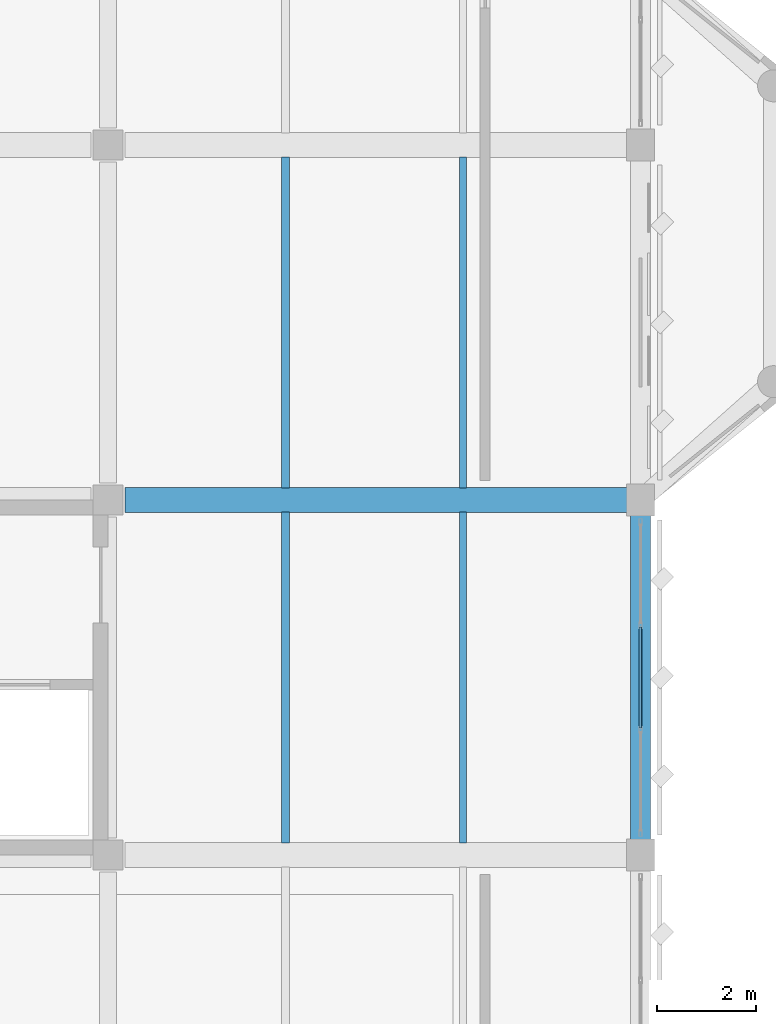
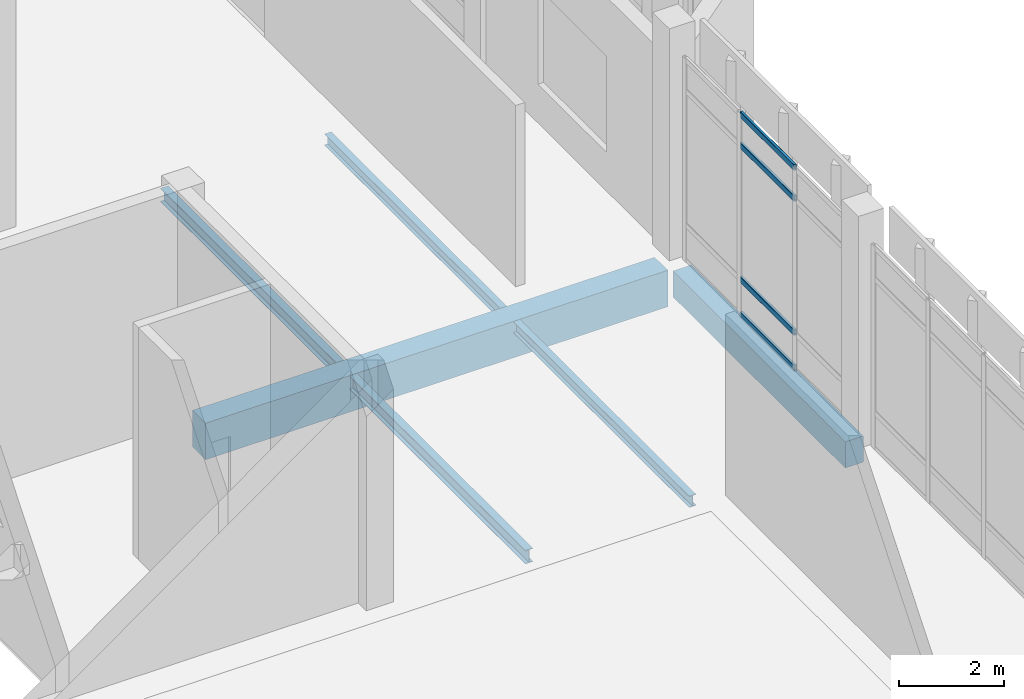
# One storey, part 56 of 180: 6 beams, 4 members, 1 element without a shape of its own.
"""IFC4 building model written with IfcOpenShell, lengths in metres."""

from ifc_helpers import new_model, si_unit, direction, frame, origin, origin_2d, place, context, subcontext, project, spatial, rectangle, hollow_rectangle, i_section, extrude, material, material_profile, profile_set, type_object, element, aggregate, save


model = new_model("IFC4")

# Units and contexts
model_context = context("Model", 3, precision=1e-05, world=origin(), true_north=direction((0.0, 1.0)))
body_context = subcontext(model_context, "Body", "Model", "MODEL_VIEW")
ifc_project = project(units=[si_unit("LENGTHUNIT", "METRE"), si_unit("AREAUNIT", "SQUARE_METRE"), si_unit("VOLUMEUNIT", "CUBIC_METRE"), si_unit("PLANEANGLEUNIT", "RADIAN"), si_unit("MASSUNIT", "GRAM", prefix="KILO")], contexts=[model_context])

# Site, building, storey
site_placement = place(None, origin())
site = spatial("IfcSite", under=ifc_project, at=site_placement, CompositionType="ELEMENT")
building_placement = place(site_placement, origin())
building = spatial("IfcBuilding", under=site, at=building_placement, Name="Lusvemor Sports Hall", CompositionType="ELEMENT")
storey_placement = place(building_placement, frame((0.0, 0.0, 5.39990234375)))
storey = spatial("IfcBuildingStorey", under=building, at=storey_placement, Name="L01", CompositionType="ELEMENT", Elevation=5.39990234375)

# Curtain wall, members
ifc_material_1 = material(Name="Thermally broken bronze-anodized aluminium", Category="aluminium")
curtain_wall_type = type_object("IfcCurtainWallType", Name="CW_WING_B", PredefinedType="NOTDEFINED", material=ifc_material_1)
curtain_wall_placement = place(storey_placement, origin())
curtain_wall = element("IfcCurtainWall", 1, at=curtain_wall_placement, inside=storey, type_object=curtain_wall_type, Name="Curtain Wall CW-L01-E-4-3", PredefinedType="NOTDEFINED")
ifc_material_2 = material(Name="Thermally broken bronze-anodized aluminium", Category="aluminium")
ifc_material_profile_1 = material_profile(ifc_material_2, hollow_rectangle(XDim=0.06005859375, YDim=0.135009765625, WallThickness=0.00390625, InnerFilletRadius=0.00390625, OuterFilletRadius=0.008056640625, at=origin_2d()), Name="CWTRN135x60x4")
ifc_profile_set_1 = profile_set([ifc_material_profile_1], Name="Thermally broken bronze-anodized aluminium")
member_type = type_object("IfcMemberType", Name="CW_TRN_B", PredefinedType="USERDEFINED", material=ifc_profile_set_1)
member_1_placement = place(storey_placement, frame((21.60009765625, 73.027587890625, 0.030029296875), z_axis=(0.0, -1.0, 0.0), x_axis=(1.0, 0.0, 0.0)))
member_1 = element("IfcMember", 2, at=member_1_placement, type_object=member_type, Name="CW02 transom 2.1", ObjectType="TRANSOM", PredefinedType="USERDEFINED", context=body_context, shape_type="SweptSolid", body=[
    extrude(hollow_rectangle(XDim=0.06005859375, YDim=0.135009765625, WallThickness=0.00390625, InnerFilletRadius=0.00390625, OuterFilletRadius=0.008056640625, at=origin_2d()), origin(), (0.0, 0.0, 1.0), 2.05517578125),
])
member_2_placement = place(storey_placement, frame((21.60009765625, 73.027587890625, 0.85009765625), z_axis=(0.0, -1.0, 0.0), x_axis=(1.0, 0.0, 0.0)))
member_2 = element("IfcMember", 3, at=member_2_placement, type_object=member_type, Name="CW02 transom 2.2", ObjectType="TRANSOM", PredefinedType="USERDEFINED", context=body_context, shape_type="SweptSolid", body=[
    extrude(hollow_rectangle(XDim=0.06005859375, YDim=0.135009765625, WallThickness=0.00390625, InnerFilletRadius=0.00390625, OuterFilletRadius=0.008056640625, at=origin_2d()), origin(), (0.0, 0.0, 1.0), 2.05517578125),
])
member_3_placement = place(storey_placement, frame((21.60009765625, 73.027587890625, 3.97021484375), z_axis=(0.0, -1.0, 0.0), x_axis=(1.0, 0.0, 0.0)))
member_3 = element("IfcMember", 4, at=member_3_placement, type_object=member_type, Name="CW02 transom 2.3", ObjectType="TRANSOM", PredefinedType="USERDEFINED", context=body_context, shape_type="SweptSolid", body=[
    extrude(hollow_rectangle(XDim=0.06005859375, YDim=0.135009765625, WallThickness=0.00390625, InnerFilletRadius=0.00390625, OuterFilletRadius=0.008056640625, at=origin_2d()), origin(), (0.0, 0.0, 1.0), 2.05517578125),
])
member_4_placement = place(storey_placement, frame((21.60009765625, 73.027587890625, 4.690185546875), z_axis=(0.0, -1.0, 0.0), x_axis=(1.0, 0.0, 0.0)))
member_4 = element("IfcMember", 5, at=member_4_placement, type_object=member_type, Name="CW02 transom 2.4", ObjectType="TRANSOM", PredefinedType="USERDEFINED", context=body_context, shape_type="SweptSolid", body=[
    extrude(hollow_rectangle(XDim=0.06005859375, YDim=0.135009765625, WallThickness=0.00390625, InnerFilletRadius=0.00390625, OuterFilletRadius=0.008056640625, at=origin_2d()), origin(), (0.0, 0.0, 1.0), 2.05517578125),
])
aggregate(curtain_wall, [member_1, member_2, member_3, member_4])

# Beams
ifc_material_3 = material(Name="Concrete C40/50", Category="concrete")
ifc_material_profile_2 = material_profile(ifc_material_3, rectangle(XDim=0.5, YDim=0.85009765625, at=origin_2d()), Name="RC500x850")
ifc_profile_set_2 = profile_set([ifc_material_profile_2], Name="Concrete C40/50")
beam_type_1 = type_object("IfcBeamType", Name="GIRD_RC_850", PredefinedType="T_BEAM", material=ifc_profile_set_2)
beam_1_placement = place(storey_placement, frame((11.14599609375, 75.60009765625, -0.684814453125), z_axis=(1.0, 0.0, 0.0), x_axis=(0.0, 1.0, 0.0)))
element("IfcBeam", 6, at=beam_1_placement, inside=storey, type_object=beam_type_1, Name="Beam L01 K:2-3", PredefinedType="T_BEAM", context=body_context, shape_type="SweptSolid", body=[
    extrude(rectangle(XDim=0.5, YDim=0.85009765625, at=origin_2d()), origin(), (0.0, 0.0, 1.0), 10.177978515625),
])
ifc_material_4 = material(Name="Steel S355", Category="steel")
ifc_material_profile_3 = material_profile(ifc_material_4, i_section(OverallWidth=0.14794921875, OverallDepth=0.26611328125, WebThickness=0.007568359375, FlangeThickness=0.012939453125, FilletRadius=0.012939453125, at=origin_2d()), Name="W250x44.8")
ifc_profile_set_3 = profile_set([ifc_material_profile_3], Name="Steel S355")
beam_type_2 = type_object("IfcBeamType", Name="JOIST_ST_250M", PredefinedType="JOIST", material=ifc_profile_set_3)
for number, where, z_axis, x_axis, name in (
    (7, (18.0, 68.64599609375, -0.39697265625), (0.0, 1.0, 0.0), (-1.0, 0.0, 0.0), "Secondary Joist L01 2-3/J-K #2"),
    (8, (18.0, 75.845947265625, -0.39697265625), (0.0, 1.0, 0.0), (-1.0, 0.0, 0.0), "Secondary Joist L01 2-3/K-L #2"),
):
    element("IfcBeam", number, at=place(storey_placement, frame(where, z_axis=z_axis, x_axis=x_axis)), inside=storey, type_object=beam_type_2, Name=name, PredefinedType="JOIST", context=body_context, shape_type="SweptSolid", body=[
        extrude(i_section(OverallWidth=0.14794921875, OverallDepth=0.26611328125, WebThickness=0.007568359375, FlangeThickness=0.012939453125, FilletRadius=0.012939453125, at=origin_2d()), origin(), (0.0, 0.0, 1.0), 6.7080078125),
    ])
ifc_material_5 = material(Name="Steel S355", Category="steel")
ifc_material_profile_4 = material_profile(ifc_material_5, i_section(OverallWidth=0.1669921875, OverallDepth=0.31689453125, WebThickness=0.007568359375, FlangeThickness=0.01318359375, FilletRadius=0.014892578125, at=origin_2d()), Name="W310x52.0")
ifc_profile_set_4 = profile_set([ifc_material_profile_4], Name="Steel S355")
beam_type_3 = type_object("IfcBeamType", Name="JOIST_ST_310M", PredefinedType="JOIST", material=ifc_profile_set_4)
for number, where, z_axis, x_axis, name in (
    (9, (14.39990234375, 68.64599609375, -0.42236328125), (0.0, 1.0, 0.0), (-1.0, 0.0, 0.0), "Secondary Joist L01 2-3/J-K #1"),
    (10, (14.39990234375, 75.845947265625, -0.42236328125), (0.0, 1.0, 0.0), (-1.0, 0.0, 0.0), "Secondary Joist L01 2-3/K-L #1"),
):
    element("IfcBeam", number, at=place(storey_placement, frame(where, z_axis=z_axis, x_axis=x_axis)), inside=storey, type_object=beam_type_3, Name=name, PredefinedType="JOIST", context=body_context, shape_type="SweptSolid", body=[
        extrude(i_section(OverallWidth=0.1669921875, OverallDepth=0.31689453125, WebThickness=0.007568359375, FlangeThickness=0.01318359375, FilletRadius=0.014892578125, at=origin_2d()), origin(), (0.0, 0.0, 1.0), 6.7080078125),
    ])
ifc_material_6 = material(Name="Concrete C40/50", Category="concrete")
ifc_material_profile_5 = material_profile(ifc_material_6, rectangle(XDim=0.39990234375, YDim=0.610107421875, at=origin_2d()), Name="RC400x610")
ifc_profile_set_5 = profile_set([ifc_material_profile_5], Name="Concrete C40/50")
beam_type_4 = type_object("IfcBeamType", Name="SPAND_EXT_650", PredefinedType="SPANDREL", material=ifc_profile_set_5)
beam_2_placement = place(storey_placement, frame((21.60009765625, 68.716064453125, -0.56494140625), z_axis=(0.0, 1.0, 0.0), x_axis=(-1.0, 0.0, 0.0)))
element("IfcBeam", 11, at=beam_2_placement, inside=storey, type_object=beam_type_4, Name="Beam L01 3:J-K", PredefinedType="SPANDREL", context=body_context, shape_type="SweptSolid", body=[
    extrude(rectangle(XDim=0.39990234375, YDim=0.610107421875, at=origin_2d()), origin(), (0.0, 0.0, 1.0), 6.56787109375),
])

save(model, "model.ifc")
